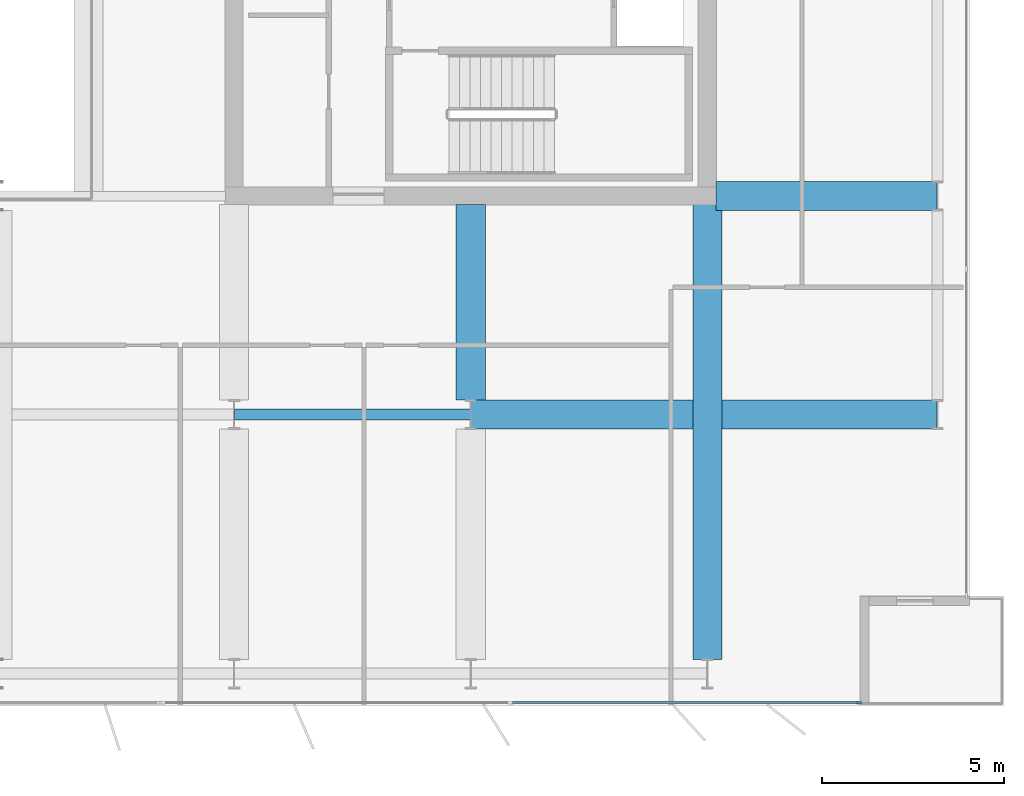
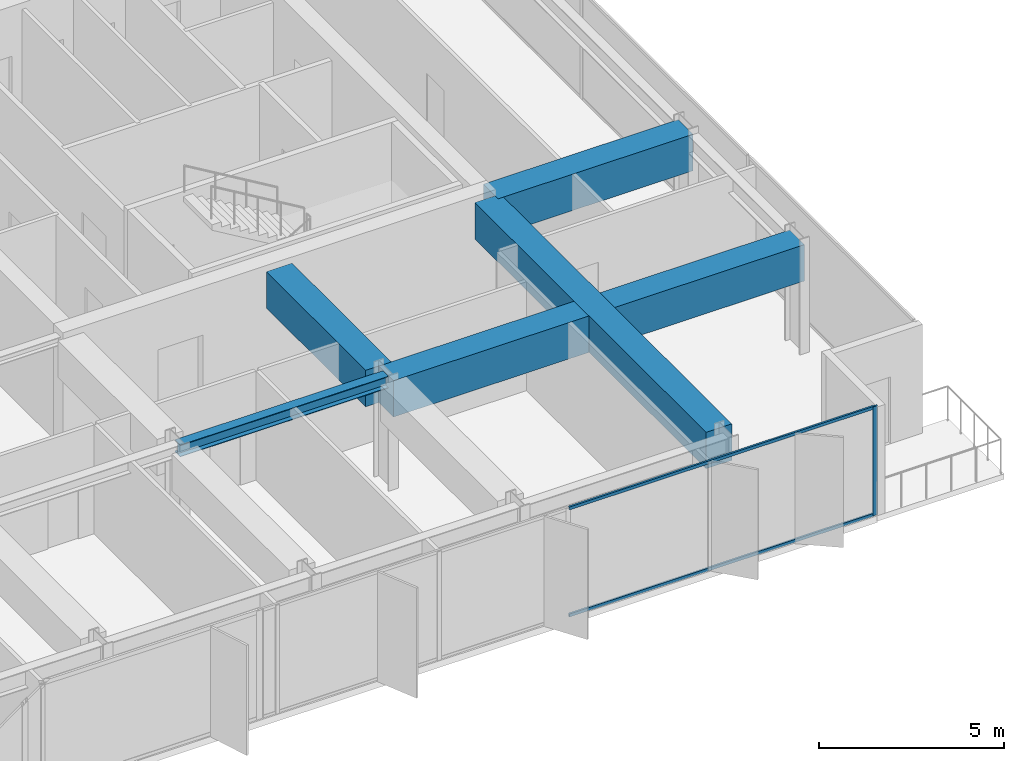
# One storey, part 8 of 24: 5 beams, 3 members, 1 element without a shape of its own.
"""IFC4 building model written with IfcOpenShell, lengths in metres."""

from ifc_helpers import new_model, si_unit, direction, frame, origin, origin_2d, place, context, subcontext, project, spatial, rectangle, i_section, extrude, material, layer, layer_set, material_profile, profile_set, type_object, element, aggregate, save


model = new_model("IFC4")

# Units and contexts
model_context = context("Model", 3, precision=1e-05, world=origin(), true_north=direction((0.0, 1.0)))
body_context = subcontext(model_context, "Body", "Model", "MODEL_VIEW")
ifc_project = project(units=[si_unit("LENGTHUNIT", "METRE"), si_unit("AREAUNIT", "SQUARE_METRE"), si_unit("VOLUMEUNIT", "CUBIC_METRE"), si_unit("PLANEANGLEUNIT", "RADIAN"), si_unit("MASSUNIT", "GRAM", prefix="KILO")], contexts=[model_context])

# Site, building, storey
site_placement = place(None, origin())
site = spatial("IfcSite", under=ifc_project, at=site_placement, CompositionType="ELEMENT")
building_placement = place(site_placement, origin())
building = spatial("IfcBuilding", under=site, at=building_placement, Name="Putna Gate Headquarters", CompositionType="ELEMENT")
storey_placement = place(building_placement, frame((0.0, 0.0, 251.800048828125)))
storey = spatial("IfcBuildingStorey", under=building, at=storey_placement, Name="L63", CompositionType="ELEMENT", Elevation=251.800048828125)

# Beams
ifc_material_1 = material(Name="Steel S355J2", Category="steel")
ifc_material_profile_1 = material_profile(ifc_material_1, i_section(OverallWidth=0.300048828125, OverallDepth=0.389892578125, WebThickness=0.010986328125, FlangeThickness=0.01904296875, at=origin_2d()), Name="Steel S355J2")
ifc_profile_set_1 = profile_set([ifc_material_profile_1], Name="Steel S355J2")
beam_type_1 = type_object("IfcBeamType", Name="BM-SEC-Z5-HEA400", PredefinedType="BEAM", material=ifc_profile_set_1)
beam_1_placement = place(storey_placement, frame((52.006103515625, 13.0, 3.39306640625), z_axis=(1.0, 0.0, 0.0), x_axis=(0.0, 1.0, 0.0)))
element("IfcBeam", 1, at=beam_1_placement, inside=storey, type_object=beam_type_1, Name="L63 South Secondary Beam 7", PredefinedType="BEAM", context=body_context, shape_type="SweptSolid", body=[
    extrude(i_section(OverallWidth=0.300048828125, OverallDepth=0.389892578125, WebThickness=0.010986328125, FlangeThickness=0.01904296875, at=origin_2d()), origin(), (0.0, 0.0, 1.0), 6.48779296875),
])
ifc_material_2 = material(Name="Concrete C50/60", Category="concrete")
ifc_material_profile_2 = material_profile(ifc_material_2, rectangle(XDim=0.800048828125, YDim=1.199951171875, at=origin_2d()), Name="Concrete C50/60")
ifc_profile_set_2 = profile_set([ifc_material_profile_2], Name="Concrete C50/60")
beam_type_2 = type_object("IfcBeamType", Name="BM-TG-RC1200", PredefinedType="USERDEFINED", material=ifc_profile_set_2)
beam_2_placement = place(storey_placement, frame((58.506103515625, 13.0, 2.988037109375), z_axis=(1.0, 0.0, 0.0), x_axis=(0.0, 1.0, 0.0)))
element("IfcBeam", 2, at=beam_2_placement, inside=storey, type_object=beam_type_2, Name="L63 East Wing Girder Y13", ObjectType="GIRDER", PredefinedType="USERDEFINED", context=body_context, shape_type="SweptSolid", body=[
    extrude(rectangle(XDim=0.800048828125, YDim=1.199951171875, at=origin_2d()), origin(), (0.0, 0.0, 1.0), 12.807861328125),
])
beam_3_placement = place(storey_placement, frame((65.235107421875, 19.0, 2.988037109375), z_axis=(1.0, 0.0, 0.0), x_axis=(0.0, 1.0, 0.0)))
element("IfcBeam", 3, at=beam_3_placement, inside=storey, type_object=beam_type_2, Name="L63 East Wing Girder Y19", ObjectType="GIRDER", PredefinedType="USERDEFINED", context=body_context, shape_type="SweptSolid", body=[
    extrude(rectangle(XDim=0.800048828125, YDim=1.199951171875, at=origin_2d()), origin(), (0.0, 0.0, 1.0), 6.078857421875),
])
beam_4_placement = place(storey_placement, frame((58.5, 13.39501953125, 2.988037109375), z_axis=(0.0, 1.0, 0.0), x_axis=(-1.0, 0.0, 0.0)))
element("IfcBeam", 4, at=beam_4_placement, inside=storey, type_object=beam_type_2, Name="L63 South Primary Girder X58-2", ObjectType="GIRDER", PredefinedType="USERDEFINED", context=body_context, shape_type="SweptSolid", body=[
    extrude(rectangle(XDim=0.800048828125, YDim=1.199951171875, at=origin_2d()), origin(), (0.0, 0.0, 1.0), 5.369873046875),
])
beam_5_placement = place(storey_placement, frame((65.0, 6.27490234375, 2.988037109375), z_axis=(0.0, 1.0, 0.0), x_axis=(-1.0, 0.0, 0.0)))
element("IfcBeam", 5, at=beam_5_placement, inside=storey, type_object=beam_type_2, Name="L63 South Primary Girder X65", ObjectType="GIRDER", PredefinedType="USERDEFINED", context=body_context, shape_type="SweptSolid", body=[
    extrude(rectangle(XDim=0.800048828125, YDim=1.199951171875, at=origin_2d()), origin(), (0.0, 0.0, 1.0), 12.489990234375),
])

# Curtain wall, members
ifc_material_3 = material(Name="Anodised bronze aluminium curtain wall", Category="aluminium")
ifc_layer = layer(ifc_material_3, 0.139892578125)
ifc_layer_set = layer_set([ifc_layer], Name="Anodised bronze aluminium curtain wall")
curtain_wall_type = type_object("IfcCurtainWallType", Name="CW-SYS-Z4", PredefinedType="USERDEFINED", material=ifc_layer_set)
curtain_wall_placement = place(storey_placement, origin())
curtain_wall = element("IfcCurtainWall", 6, at=curtain_wall_placement, inside=storey, type_object=curtain_wall_type, Name="L63 South East Curtain Wall", ObjectType="STICK CURTAIN WALL", PredefinedType="USERDEFINED")
ifc_material_4 = material(Name="Anodised bronze aluminium EN AW-6060", Category="aluminium")
ifc_material_profile_3 = material_profile(ifc_material_4, rectangle(XDim=0.06005859375, YDim=0.139892578125, at=origin_2d()), Name="Anodised bronze aluminium EN AW-6060")
ifc_profile_set_3 = profile_set([ifc_material_profile_3], Name="Anodised bronze aluminium EN AW-6060")
member_type_1 = type_object("IfcMemberType", Name="MULL-CWM-4", PredefinedType="MULLION", material=ifc_profile_set_3)
member_1_placement = place(storey_placement, frame((69.169921875, 5.080078125, 0.0), z_axis=(0.0, 0.0, 1.0), x_axis=(0.0, 1.0, 0.0)))
member_1 = element("IfcMember", 7, at=member_1_placement, type_object=member_type_1, Name="CWS-4 mullion 3", PredefinedType="MULLION", context=body_context, shape_type="SweptSolid", body=[
    extrude(rectangle(XDim=0.06005859375, YDim=0.139892578125, at=origin_2d()), origin(), (0.0, 0.0, 1.0), 3.587890625),
])
ifc_material_profile_4 = material_profile(ifc_material_4, rectangle(XDim=0.06005859375, YDim=0.10009765625, at=origin_2d()), Name="Anodised bronze aluminium EN AW-6060")
ifc_profile_set_4 = profile_set([ifc_material_profile_4], Name="Anodised bronze aluminium EN AW-6060")
member_type_2 = type_object("IfcMemberType", Name="TRAN-CWT-4", PredefinedType="USERDEFINED", material=ifc_profile_set_4)
member_2_placement = place(storey_placement, frame((59.6298828125, 5.080078125, 0.030029296875), z_axis=(1.0, 0.0, 0.0), x_axis=(0.0, 1.0, 0.0)))
member_2 = element("IfcMember", 8, at=member_2_placement, type_object=member_type_2, Name="CWS-4 transom 2.1", ObjectType="TRANSOM", PredefinedType="USERDEFINED", context=body_context, shape_type="SweptSolid", body=[
    extrude(rectangle(XDim=0.06005859375, YDim=0.10009765625, at=origin_2d()), origin(), (0.0, 0.0, 1.0), 9.510009765625),
])
member_3_placement = place(storey_placement, frame((59.6298828125, 5.080078125, 3.557861328125), z_axis=(1.0, 0.0, 0.0), x_axis=(0.0, 1.0, 0.0)))
member_3 = element("IfcMember", 9, at=member_3_placement, type_object=member_type_2, Name="CWS-4 transom 2.2", ObjectType="TRANSOM", PredefinedType="USERDEFINED", context=body_context, shape_type="SweptSolid", body=[
    extrude(rectangle(XDim=0.06005859375, YDim=0.10009765625, at=origin_2d()), origin(), (0.0, 0.0, 1.0), 9.510009765625),
])
aggregate(curtain_wall, [member_1, member_2, member_3])

save(model, "model.ifc")
